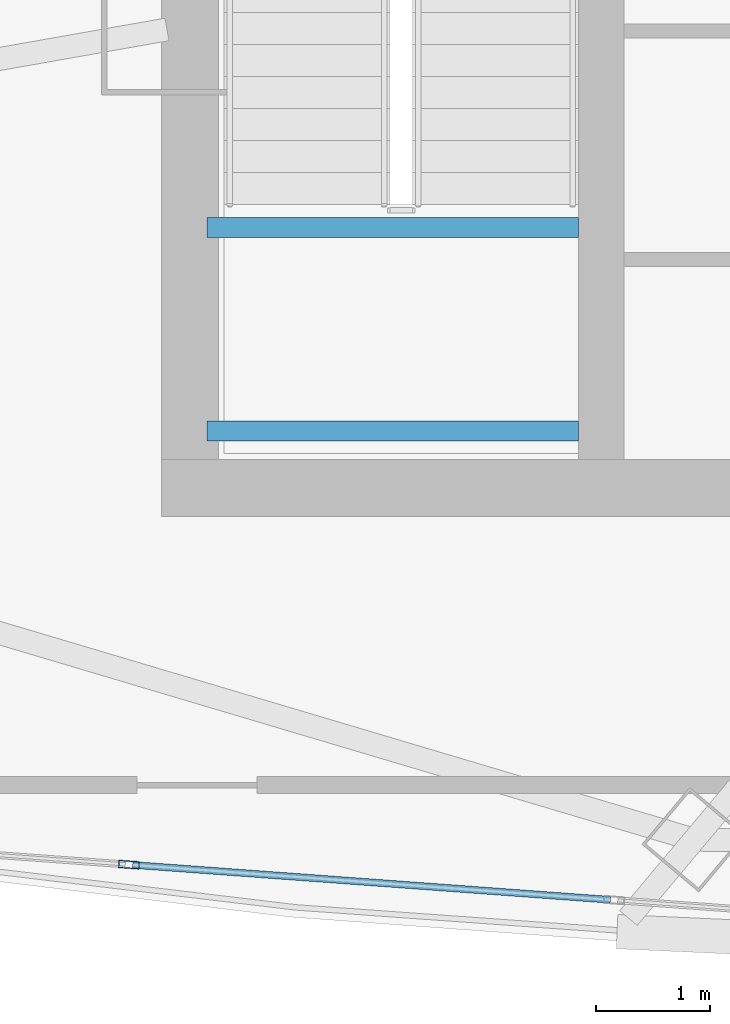
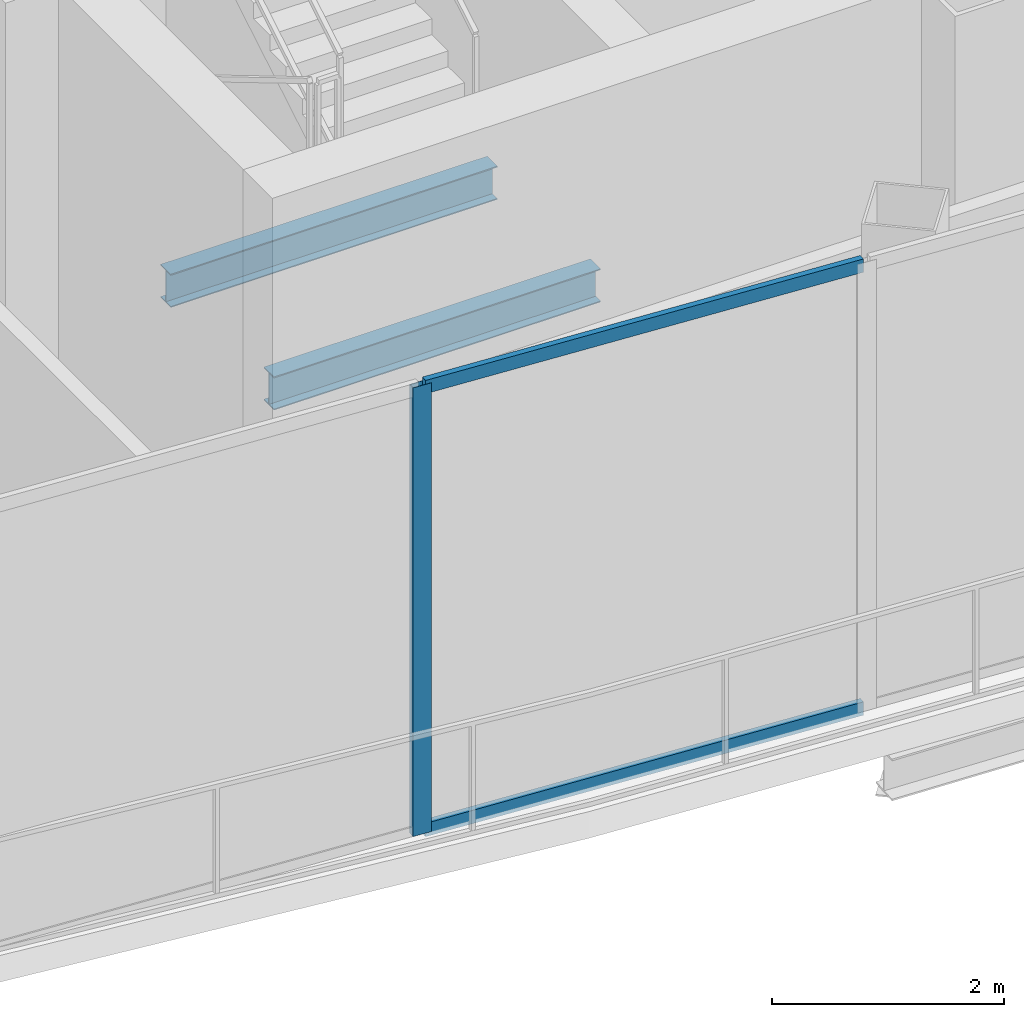
# One storey, part 5 of 33: 3 members, 2 beams, 1 element without a shape of its own.
"""IFC4 building model written with IfcOpenShell, lengths in metres."""

from ifc_helpers import new_model, si_unit, direction, frame, origin, origin_2d, place, context, subcontext, project, spatial, hollow_rectangle, i_section, extrude, source, transform, mapped, material, layer, layer_set, material_profile, profile_set, type_object, element, aggregate, save


model = new_model("IFC4")

# Units and contexts
model_context = context("Model", 3, precision=1e-05, world=origin(), true_north=direction((0.0, 1.0)))
body_context = subcontext(model_context, "Body", "Model", "MODEL_VIEW")
ifc_project = project(units=[si_unit("LENGTHUNIT", "METRE"), si_unit("AREAUNIT", "SQUARE_METRE"), si_unit("VOLUMEUNIT", "CUBIC_METRE"), si_unit("PLANEANGLEUNIT", "RADIAN"), si_unit("MASSUNIT", "GRAM", prefix="KILO"), si_unit("THERMODYNAMICTEMPERATUREUNIT", "KELVIN"), si_unit("POWERUNIT", "WATT")], contexts=[model_context])

# Site, building, storey
site_placement = place(None, origin())
site = spatial("IfcSite", under=ifc_project, at=site_placement, CompositionType="ELEMENT")
building_placement = place(site_placement, origin())
building = spatial("IfcBuilding", under=site, at=building_placement, Name="Yunzhuo Pagoda Commons", CompositionType="ELEMENT")
storey_placement = place(building_placement, frame((0.0, 0.0, 391.760009765625)))
storey = spatial("IfcBuildingStorey", under=building, at=storey_placement, Name="L97", CompositionType="ELEMENT", Elevation=391.760009765625)

# Beams
ifc_material_1 = material(Name="Structural steel Q355B", Category="steel")
ifc_material_profile_1 = material_profile(ifc_material_1, i_section(OverallWidth=0.175048828125, OverallDepth=0.35009765625, WebThickness=0.007080078125, FlangeThickness=0.010986328125, at=origin_2d()), Name="Structural steel Q355B")
ifc_profile_set_1 = profile_set([ifc_material_profile_1], Name="Structural steel Q355B")
beam_type = type_object("IfcBeamType", Name="B-JS2 Joist HN 350x175x7x11", PredefinedType="JOIST", material=ifc_profile_set_1)
shared_shape_1 = source(origin(), body_context, "Body", "SweptSolid", [
    extrude(i_section(OverallWidth=0.175048828125, OverallDepth=0.35009765625, WebThickness=0.007080078125, FlangeThickness=0.010986328125, at=origin_2d()), origin(), (0.0, 0.0, 1.0), 3.25),
])
for number, where, z_axis, x_axis, name in (
    (1, (35.949951171875, 28.0, 2.125), (1.0, 0.0, 0.0), (0.0, 1.0, 0.0), "L97 ST1 landing support beam 103A"),
    (2, (35.949951171875, 29.780029296875, 2.125), (1.0, 0.0, 0.0), (0.0, 1.0, 0.0), "L97 ST1 landing support beam 103B"),
):
    element("IfcBeam", number, at=place(storey_placement, frame(where, z_axis=z_axis, x_axis=x_axis)), inside=storey, type_object=beam_type, Name=name, PredefinedType="JOIST", context=body_context, shape_type="MappedRepresentation", body=[
        mapped(shared_shape_1, transform((0.0, 0.0, 0.0), scale=1.0)),
    ])

# Curtain wall, members
ifc_material_2 = material(Name="Anodized aluminium 6063-T6", Category="aluminium")
ifc_layer = layer(ifc_material_2, 0.179931640625)
ifc_layer_set = layer_set([ifc_layer], Name="Anodized aluminium 6063-T6")
curtain_wall_type = type_object("IfcCurtainWallType", Name="CW-CRN Crown Gable Glazing System", PredefinedType="NOTDEFINED", material=ifc_layer_set)
curtain_wall_placement = place(storey_placement, origin())
curtain_wall = element("IfcCurtainWall", 3, at=curtain_wall_placement, inside=storey, type_object=curtain_wall_type, Name="L97 curtain wall CW-L97-CRNF1G1", PredefinedType="NOTDEFINED")
ifc_material_profile_2 = material_profile(ifc_material_2, hollow_rectangle(XDim=0.06494140625, YDim=0.179931640625, WallThickness=0.00390625, at=origin_2d()), Name="Anodized aluminium 6063-T6")
ifc_profile_set_2 = profile_set([ifc_material_profile_2], Name="Anodized aluminium 6063-T6")
member_type_1 = type_object("IfcMemberType", Name="CW-CRN-M Mullion RHS 180x65x4", PredefinedType="MULLION", material=ifc_profile_set_2)
shared_shape_2 = source(origin(), body_context, "Body", "SweptSolid", [
    extrude(hollow_rectangle(XDim=0.06494140625, YDim=0.179931640625, WallThickness=0.00390625, at=origin_2d()), origin(), (0.0, 0.0, 1.0), 4.72021484375),
])
member_1_placement = place(storey_placement, frame((35.267333984375, 24.20361328125, 0.0), z_axis=(0.0, 0.0, 1.0), x_axis=(0.072795570763, 0.997346882924, 0.0)))
member_1 = element("IfcMember", 4, at=member_1_placement, type_object=member_type_1, Name="CW mullion 2", PredefinedType="MULLION", context=body_context, shape_type="MappedRepresentation", body=[
    mapped(shared_shape_2, transform((0.0, 0.0, 0.0), scale=1.0)),
])
ifc_material_profile_3 = material_profile(ifc_material_2, hollow_rectangle(XDim=0.06005859375, YDim=0.139892578125, WallThickness=0.00341796875, at=origin_2d()), Name="Anodized aluminium 6063-T6")
ifc_profile_set_3 = profile_set([ifc_material_profile_3], Name="Anodized aluminium 6063-T6")
member_type_2 = type_object("IfcMemberType", Name="CW-CRN-T Transom RHS 140x60x3.5", PredefinedType="USERDEFINED", material=ifc_profile_set_3)
shared_shape_3 = source(origin(), body_context, "Body", "SweptSolid", [
    extrude(hollow_rectangle(XDim=0.06005859375, YDim=0.139892578125, WallThickness=0.00341796875, at=origin_2d()), origin(), (0.0, 0.0, 1.0), 4.1923828125),
])
member_2_placement = place(storey_placement, frame((35.2998046875, 24.201171875, 0.030029296875), z_axis=(0.997346939481, -0.072794795886, 0.0), x_axis=(0.072794795886, 0.997346939481, 0.0)))
member_2 = element("IfcMember", 5, at=member_2_placement, type_object=member_type_2, Name="CW transom 2.1", ObjectType="TRANSOM", PredefinedType="USERDEFINED", context=body_context, shape_type="MappedRepresentation", body=[
    mapped(shared_shape_3, transform((0.0, 0.0, 0.0), scale=1.0)),
])
member_3_placement = place(storey_placement, frame((35.2998046875, 24.201171875, 4.68994140625), z_axis=(0.997346939481, -0.072794795886, 0.0), x_axis=(0.072794795886, 0.997346939481, 0.0)))
member_3 = element("IfcMember", 6, at=member_3_placement, type_object=member_type_2, Name="CW transom 2.2", ObjectType="TRANSOM", PredefinedType="USERDEFINED", context=body_context, shape_type="MappedRepresentation", body=[
    mapped(shared_shape_3, transform((0.0, 0.0, 0.0), scale=1.0)),
])
aggregate(curtain_wall, [member_1, member_2, member_3])

save(model, "model.ifc")
